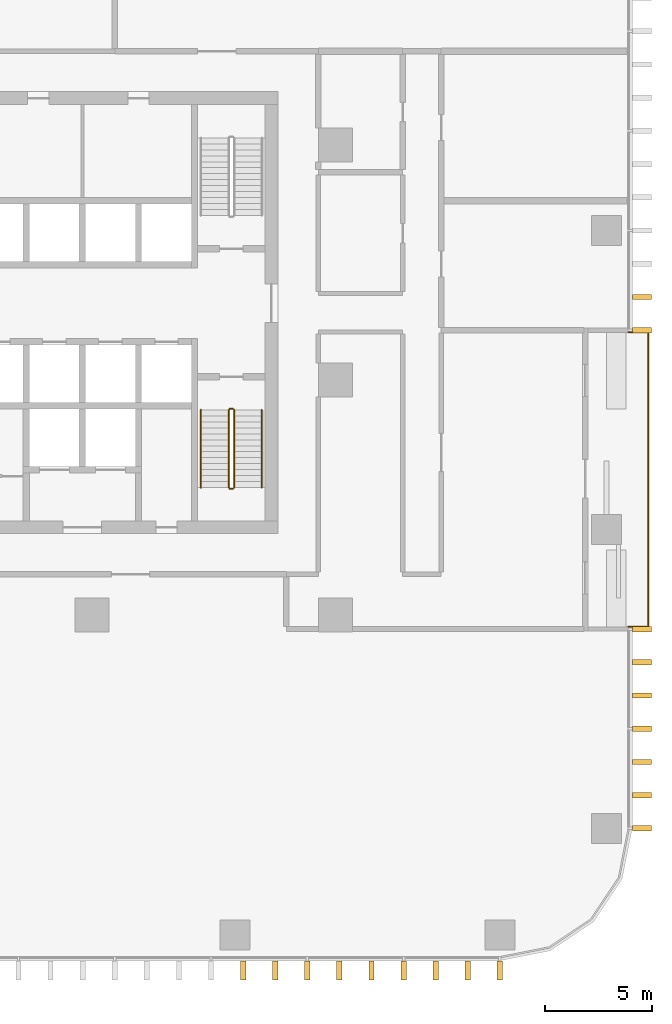
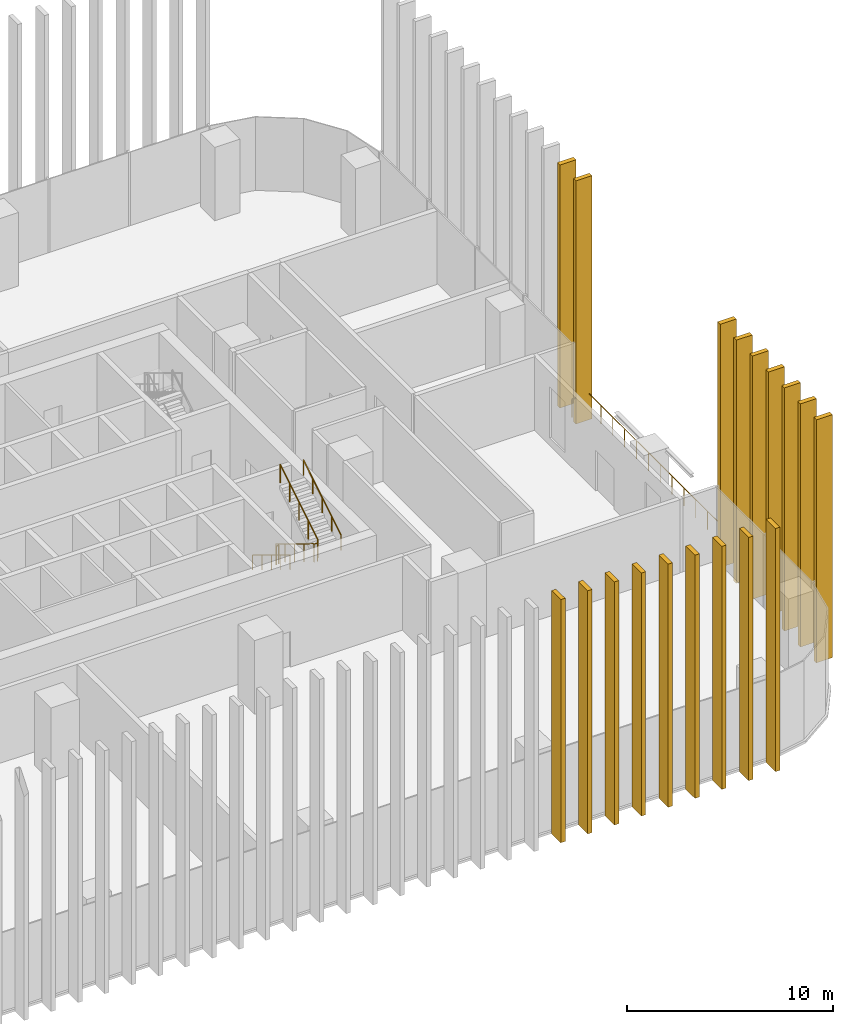
# One storey, part 14 of 17: 18 shading devices, 6 railings.
"""IFC4 building model written with IfcOpenShell, lengths in metres."""

from ifc_helpers import new_model, si_unit, direction, frame, origin, origin_2d, place, context, subcontext, project, spatial, rectangle, circle, extrude, material, type_object, element, save


model = new_model("IFC4")

# Units and contexts
model_context = context("Model", 3, precision=1e-05, world=origin(), true_north=direction((0.0, 1.0)))
body_context = subcontext(model_context, "Body", "Model", "MODEL_VIEW")
ifc_project = project(units=[si_unit("LENGTHUNIT", "METRE"), si_unit("AREAUNIT", "SQUARE_METRE"), si_unit("VOLUMEUNIT", "CUBIC_METRE"), si_unit("PLANEANGLEUNIT", "RADIAN"), si_unit("MASSUNIT", "GRAM", prefix="KILO")], contexts=[model_context])

# Site, building, storey
site_placement = place(None, origin())
site = spatial("IfcSite", under=ifc_project, at=site_placement, CompositionType="ELEMENT")
building_placement = place(site_placement, origin())
building = spatial("IfcBuilding", under=site, at=building_placement, Name="Mopane Tessera Tower", CompositionType="ELEMENT")
storey_placement = place(building_placement, frame((0.0, 0.0, 45.39990234375)))
storey = spatial("IfcBuildingStorey", under=building, at=storey_placement, Name="L08", CompositionType="ELEMENT", Elevation=45.39990234375)

# Shading devices
ifc_material_1 = material(Name="Glazed ceramic tile")
shading_device_type = type_object("IfcShadingDeviceType", Name="Ceramic tile fin 900 x 250 mm", PredefinedType="USERDEFINED", material=ifc_material_1)
for number, where, z_axis, x_axis, name in (
    (1, (12.77587890625, -27.64990234375, -0.449951171875), (0.0, 0.0, 1.0), (1.0, 0.0, 0.0), "e:fin:L08:S:8:1"),
    (2, (14.27880859375, -27.64990234375, -0.449951171875), (0.0, 0.0, 1.0), (1.0, 0.0, 0.0), "e:fin:L08:S:8:2"),
    (3, (15.78173828125, -27.64990234375, -0.449951171875), (0.0, 0.0, 1.0), (1.0, 0.0, 0.0), "e:fin:L08:S:9:0"),
    (4, (17.284912109375, -27.64990234375, -0.449951171875), (0.0, 0.0, 1.0), (1.0, 0.0, 0.0), "e:fin:L08:S:9:1"),
    (5, (18.787841796875, -27.64990234375, -0.449951171875), (0.0, 0.0, 1.0), (1.0, 0.0, 0.0), "e:fin:L08:S:9:2"),
    (6, (20.291015625, -27.64990234375, -0.449951171875), (0.0, 0.0, 1.0), (1.0, 0.0, 0.0), "e:fin:L08:S:10:0"),
    (7, (21.7939453125, -27.64990234375, -0.449951171875), (0.0, 0.0, 1.0), (1.0, 0.0, 0.0), "e:fin:L08:S:10:1"),
    (8, (23.296875, -27.64990234375, -0.449951171875), (0.0, 0.0, 1.0), (1.0, 0.0, 0.0), "e:fin:L08:S:10:2"),
    (9, (24.800048828125, -27.64990234375, -0.449951171875), (0.0, 0.0, 1.0), (1.0, 0.0, 0.0), "e:fin:L08:S:10:3"),
    (10, (31.449951171875, -21.0, -0.449951171875), (0.0, 0.0, 1.0), (0.0, 1.0, 0.0), "e:fin:L08:E:0:0"),
    (11, (31.449951171875, -19.4443359375, -0.449951171875), (0.0, 0.0, 1.0), (0.0, 1.0, 0.0), "e:fin:L08:E:0:1"),
    (12, (31.449951171875, -17.888916015625, -0.449951171875), (0.0, 0.0, 1.0), (0.0, 1.0, 0.0), "e:fin:L08:E:0:2"),
    (13, (31.449951171875, -16.333251953125, -0.449951171875), (0.0, 0.0, 1.0), (0.0, 1.0, 0.0), "e:fin:L08:E:1:0"),
    (14, (31.449951171875, -14.77783203125, -0.449951171875), (0.0, 0.0, 1.0), (0.0, 1.0, 0.0), "e:fin:L08:E:1:1"),
    (15, (31.449951171875, -13.22216796875, -0.449951171875), (0.0, 0.0, 1.0), (0.0, 1.0, 0.0), "e:fin:L08:E:1:2"),
    (16, (31.449951171875, -11.666748046875, -0.449951171875), (0.0, 0.0, 1.0), (0.0, 1.0, 0.0), "e:fin:L08:E:1:3"),
    (17, (31.449951171875, 2.333251953125, -0.449951171875), (0.0, 0.0, 1.0), (0.0, 1.0, 0.0), "e:fin:L08:E:5:0"),
    (18, (31.449951171875, 3.888916015625, -0.449951171875), (0.0, 0.0, 1.0), (0.0, 1.0, 0.0), "e:fin:L08:E:5:1"),
):
    element("IfcShadingDevice", number, at=place(storey_placement, frame(where, z_axis=z_axis, x_axis=x_axis)), inside=storey, type_object=shading_device_type, Name=name, ObjectType="FIN", PredefinedType="USERDEFINED", context=body_context, shape_type="SweptSolid", body=[
        extrude(rectangle(XDim=0.25, YDim=0.89990234375, at=origin_2d()), origin(), (0.0, 0.0, 1.0), 14.39990234375),
    ])

# Railings
ifc_material_2 = material(Name="Powder-coated steel balustrade", Category="steel")
railing_type_1 = type_object("IfcRailingType", Name="Escape stair guard 1100 mm", PredefinedType="GUARDRAIL", material=ifc_material_2)
railing_1_placement = place(storey_placement, frame((12.10009765625, -1.39990234375, 0.171630859375)))
element("IfcRailing", 19, at=railing_1_placement, inside=storey, type_object=railing_type_1, Name="L08 ST3 stair guard 1", PredefinedType="GUARDRAIL", context=body_context, shape_type="SweptSolid", body=[
    extrude(circle(Radius=0.02392578125, at=origin_2d()), frame((0.0, 0.0, 1.076171875), z_axis=(0.0, -0.852865859571, 0.52213008492), x_axis=(1.0, 0.0, 0.0)), (0.0, 0.0, 1.0), 4.26806640625),
    extrude(circle(Radius=0.02392578125, at=origin_2d()), frame((0.0, -3.64013671875, 3.3046875), z_axis=(0.705375805398, -0.708833529934, 0.0), x_axis=(0.708833529934, 0.705375805398, 0.0)), (0.0, 0.0, 1.0), 0.070556640625),
    extrude(circle(Radius=0.02392578125, at=origin_2d()), frame((0.0498046875, -3.690185546875, 3.3046875), z_axis=(1.0, 0.0, 0.0), x_axis=(0.0, 1.0, 0.0)), (0.0, 0.0, 1.0), 0.150146484375),
    extrude(circle(Radius=0.02099609375, at=origin_2d()), origin(), (0.0, 0.0, 1.0), 1.052001953125),
    extrude(circle(Radius=0.02099609375, at=origin_2d()), frame((0.0, -0.91015625, 0.55712890625)), (0.0, 0.0, 1.0), 1.052001953125),
    extrude(circle(Radius=0.02099609375, at=origin_2d()), frame((0.0, -1.820068359375, 1.1142578125)), (0.0, 0.0, 1.0), 1.052001953125),
    extrude(circle(Radius=0.02099609375, at=origin_2d()), frame((0.0, -2.72998046875, 1.67138671875)), (0.0, 0.0, 1.0), 1.052001953125),
    extrude(circle(Radius=0.02099609375, at=origin_2d()), frame((0.0, -3.64013671875, 2.228515625)), (0.0, 0.0, 1.0), 1.052001953125),
    extrude(circle(Radius=0.02099609375, at=origin_2d()), frame((0.0498046875, -3.690185546875, 2.228515625)), (0.0, 0.0, 1.0), 1.052001953125),
    extrude(circle(Radius=0.02099609375, at=origin_2d()), frame((0.199951171875, -3.690185546875, 2.228515625)), (0.0, 0.0, 1.0), 1.052001953125),
])
railing_2_placement = place(storey_placement, frame((12.35009765625, -5.0400390625, 2.571533203125)))
element("IfcRailing", 20, at=railing_2_placement, inside=storey, type_object=railing_type_1, Name="L08 ST3 stair guard 2", PredefinedType="GUARDRAIL", context=body_context, shape_type="SweptSolid", body=[
    extrude(circle(Radius=0.02392578125, at=origin_2d()), frame((0.0, 0.0, 1.076171875), z_axis=(0.0, 0.852865859571, 0.52213008492), x_axis=(-1.0, 0.0, 0.0)), (0.0, 0.0, 1.0), 4.26806640625),
    extrude(circle(Radius=0.02099609375, at=origin_2d()), origin(), (0.0, 0.0, 1.0), 1.052001953125),
    extrude(circle(Radius=0.02099609375, at=origin_2d()), frame((0.0, 0.91015625, 0.55712890625)), (0.0, 0.0, 1.0), 1.052001953125),
    extrude(circle(Radius=0.02099609375, at=origin_2d()), frame((0.0, 1.820068359375, 1.1142578125)), (0.0, 0.0, 1.0), 1.052001953125),
    extrude(circle(Radius=0.02099609375, at=origin_2d()), frame((0.0, 2.72998046875, 1.67138671875)), (0.0, 0.0, 1.0), 1.052001953125),
    extrude(circle(Radius=0.02099609375, at=origin_2d()), frame((0.0, 3.64013671875, 2.228515625)), (0.0, 0.0, 1.0), 1.052001953125),
])
railing_3_placement = place(storey_placement, frame((12.14990234375, -1.35009765625, 0.0)))
element("IfcRailing", 21, at=railing_3_placement, inside=storey, type_object=railing_type_1, Name="L08 ST3 stair guard 3", PredefinedType="GUARDRAIL", context=body_context, shape_type="SweptSolid", body=[
    extrude(circle(Radius=0.02392578125, at=origin_2d()), frame((0.0, 0.0, 1.076171875), z_axis=(1.0, 0.0, 0.0), x_axis=(0.0, 1.0, 0.0)), (0.0, 0.0, 1.0), 0.150146484375),
    extrude(circle(Radius=0.02099609375, at=origin_2d()), origin(), (0.0, 0.0, 1.0), 1.052001953125),
    extrude(circle(Radius=0.02099609375, at=origin_2d()), frame((0.150146484375, 0.0, 0.0)), (0.0, 0.0, 1.0), 1.052001953125),
])
ifc_material_3 = material(Name="Powder-coated steel balustrade", Category="steel")
railing_type_2 = type_object("IfcRailingType", Name="Escape stair handrail 900 mm", PredefinedType="HANDRAIL", material=ifc_material_3)
railing_4_placement = place(storey_placement, frame((10.800048828125, -1.39990234375, 0.171630859375)))
element("IfcRailing", 22, at=railing_4_placement, inside=storey, type_object=railing_type_2, Name="L08 ST3 stair handrail 1", PredefinedType="HANDRAIL", context=body_context, shape_type="SweptSolid", body=[
    extrude(circle(Radius=0.02392578125, at=origin_2d()), frame((0.0, 0.0, 0.8759765625), z_axis=(0.0, -0.852865859571, 0.52213008492), x_axis=(1.0, 0.0, 0.0)), (0.0, 0.0, 1.0), 4.26806640625),
    extrude(circle(Radius=0.02099609375, at=origin_2d()), origin(), (0.0, 0.0, 1.0), 0.851806640625),
    extrude(circle(Radius=0.02099609375, at=origin_2d()), frame((0.0, -0.91015625, 0.55712890625)), (0.0, 0.0, 1.0), 0.851806640625),
    extrude(circle(Radius=0.02099609375, at=origin_2d()), frame((0.0, -1.820068359375, 1.1142578125)), (0.0, 0.0, 1.0), 0.851806640625),
    extrude(circle(Radius=0.02099609375, at=origin_2d()), frame((0.0, -2.72998046875, 1.67138671875)), (0.0, 0.0, 1.0), 0.851806640625),
    extrude(circle(Radius=0.02099609375, at=origin_2d()), frame((0.0, -3.64013671875, 2.228515625)), (0.0, 0.0, 1.0), 0.851806640625),
])
railing_5_placement = place(storey_placement, frame((13.64990234375, -5.0400390625, 2.571533203125)))
element("IfcRailing", 23, at=railing_5_placement, inside=storey, type_object=railing_type_2, Name="L08 ST3 stair handrail 2", PredefinedType="HANDRAIL", context=body_context, shape_type="SweptSolid", body=[
    extrude(circle(Radius=0.02392578125, at=origin_2d()), frame((0.0, 0.0, 0.8759765625), z_axis=(0.0, 0.852865859571, 0.52213008492), x_axis=(-1.0, 0.0, 0.0)), (0.0, 0.0, 1.0), 4.26806640625),
    extrude(circle(Radius=0.02099609375, at=origin_2d()), origin(), (0.0, 0.0, 1.0), 0.851806640625),
    extrude(circle(Radius=0.02099609375, at=origin_2d()), frame((0.0, 0.91015625, 0.55712890625)), (0.0, 0.0, 1.0), 0.851806640625),
    extrude(circle(Radius=0.02099609375, at=origin_2d()), frame((0.0, 1.820068359375, 1.1142578125)), (0.0, 0.0, 1.0), 0.851806640625),
    extrude(circle(Radius=0.02099609375, at=origin_2d()), frame((0.0, 2.72998046875, 1.67138671875)), (0.0, 0.0, 1.0), 0.851806640625),
    extrude(circle(Radius=0.02099609375, at=origin_2d()), frame((0.0, 3.64013671875, 2.228515625)), (0.0, 0.0, 1.0), 0.851806640625),
])
ifc_material_4 = material(Name="Stainless steel S316", Category="steel")
railing_type_3 = type_object("IfcRailingType", Name="Terrace guard 1100", PredefinedType="GUARDRAIL", material=ifc_material_4)
railing_6_placement = place(storey_placement, frame((30.800048828125, -11.566650390625, 0.0)))
element("IfcRailing", 24, at=railing_6_placement, inside=storey, type_object=railing_type_3, Name="e:nw:L08:N1:guard", PredefinedType="GUARDRAIL", context=body_context, shape_type="SweptSolid", body=[
    extrude(circle(Radius=0.02392578125, at=origin_2d()), frame((0.0, 0.0, 1.076171875), z_axis=(1.0, 0.0, 0.0), x_axis=(0.0, 1.0, 0.0)), (0.0, 0.0, 1.0), 0.949951171875),
    extrude(circle(Radius=0.02392578125, at=origin_2d()), frame((0.949951171875, 0.0, 1.076171875), z_axis=(0.0, 1.0, 0.0), x_axis=(-1.0, 0.0, 0.0)), (0.0, 0.0, 1.0), 13.800048828125),
    extrude(circle(Radius=0.02392578125, at=origin_2d()), frame((0.949951171875, 13.800048828125, 1.076171875), z_axis=(-1.0, 0.0, 0.0), x_axis=(0.0, -1.0, 0.0)), (0.0, 0.0, 1.0), 0.949951171875),
    extrude(circle(Radius=0.02099609375, at=origin_2d()), origin(), (0.0, 0.0, 1.0), 1.052001953125),
    extrude(circle(Radius=0.02099609375, at=origin_2d()), frame((0.949951171875, 0.0, 0.0)), (0.0, 0.0, 1.0), 1.052001953125),
    extrude(circle(Radius=0.02099609375, at=origin_2d()), frame((0.949951171875, 1.14990234375, 0.0)), (0.0, 0.0, 1.0), 1.052001953125),
    extrude(circle(Radius=0.02099609375, at=origin_2d()), frame((0.949951171875, 2.300048828125, 0.0)), (0.0, 0.0, 1.0), 1.052001953125),
    extrude(circle(Radius=0.02099609375, at=origin_2d()), frame((0.949951171875, 3.449951171875, 0.0)), (0.0, 0.0, 1.0), 1.052001953125),
    extrude(circle(Radius=0.02099609375, at=origin_2d()), frame((0.949951171875, 4.60009765625, 0.0)), (0.0, 0.0, 1.0), 1.052001953125),
    extrude(circle(Radius=0.02099609375, at=origin_2d()), frame((0.949951171875, 5.75, 0.0)), (0.0, 0.0, 1.0), 1.052001953125),
    extrude(circle(Radius=0.02099609375, at=origin_2d()), frame((0.949951171875, 6.89990234375, 0.0)), (0.0, 0.0, 1.0), 1.052001953125),
    extrude(circle(Radius=0.02099609375, at=origin_2d()), frame((0.949951171875, 8.050048828125, 0.0)), (0.0, 0.0, 1.0), 1.052001953125),
    extrude(circle(Radius=0.02099609375, at=origin_2d()), frame((0.949951171875, 9.199951171875, 0.0)), (0.0, 0.0, 1.0), 1.052001953125),
    extrude(circle(Radius=0.02099609375, at=origin_2d()), frame((0.949951171875, 10.35009765625, 0.0)), (0.0, 0.0, 1.0), 1.052001953125),
    extrude(circle(Radius=0.02099609375, at=origin_2d()), frame((0.949951171875, 11.5, 0.0)), (0.0, 0.0, 1.0), 1.052001953125),
    extrude(circle(Radius=0.02099609375, at=origin_2d()), frame((0.949951171875, 12.650146484375, 0.0)), (0.0, 0.0, 1.0), 1.052001953125),
    extrude(circle(Radius=0.02099609375, at=origin_2d()), frame((0.949951171875, 13.800048828125, 0.0)), (0.0, 0.0, 1.0), 1.052001953125),
    extrude(circle(Radius=0.02099609375, at=origin_2d()), frame((0.0, 13.800048828125, 0.0)), (0.0, 0.0, 1.0), 1.052001953125),
])

save(model, "model.ifc")
